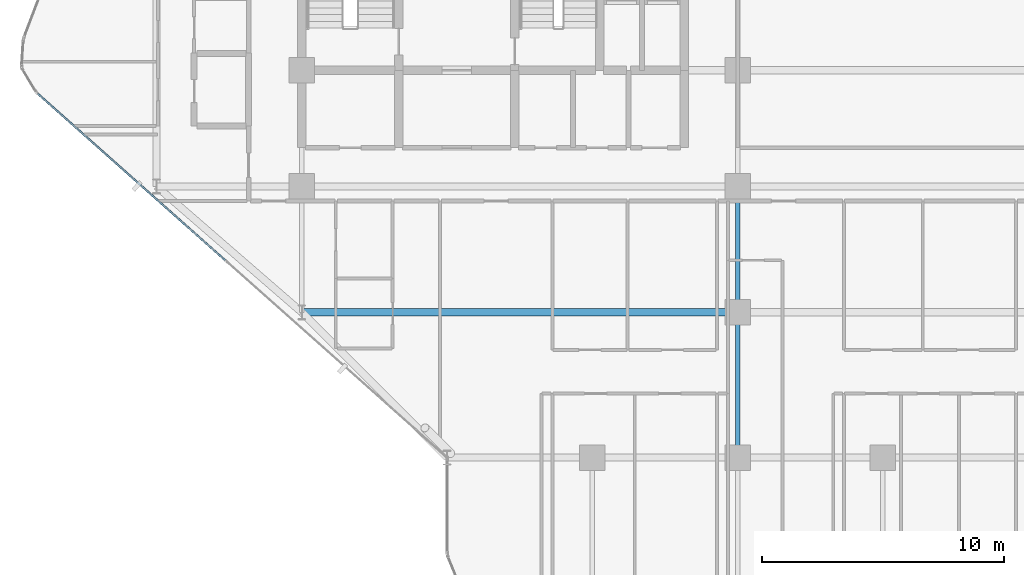
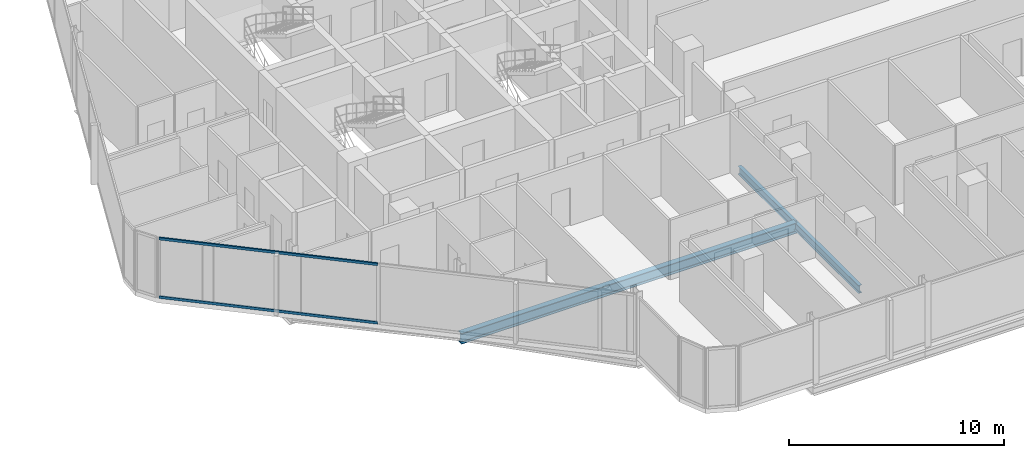
# One storey, part 5 of 29: 3 beams, 2 members, 1 element without a shape of its own.
"""IFC4 building model written with IfcOpenShell, lengths in metres."""

import ifcopenshell
import ifcopenshell.guid

model = None  # the IFC model being written
_history = None  # IfcOwnerHistory: only IFC2X3 demands one
_inside = {}  # id of a spatial element -> (the spatial element, [elements in it])
_under = {}  # id of a project, library or spatial element -> (it, [spatial elements below it])
_declared = {}  # id of a project -> (the project, [libraries it declares])
_typed = {}  # id of a type object -> (the type object, [elements of that type])
_made_of = {}  # id of a material, layer set ... -> (it, [elements and type objects made of it])


def new_model(schema):
    """Start an empty IFC model of exactly this schema.

    Asked for "IFC4X3", IfcOpenShell would pick the latest addendum, in which some entities
    have other attributes; the version numbers below select the first issue.
    IFC2X3 requires an IfcOwnerHistory on every rooted entity: one is made here for all.
    """
    global model, _history
    if schema == "IFC4X3":
        model = ifcopenshell.file(schema_version=(4, 3, 0, 0))
    else:
        model = ifcopenshell.file(schema=schema)
    _inside.clear()
    _under.clear()
    _declared.clear()
    _typed.clear()
    _made_of.clear()
    _history = None
    if model.schema == "IFC2X3":
        org = make("IfcOrganization", Name="unknown")
        user = make(
            "IfcPersonAndOrganization",
            ThePerson=make("IfcPerson", FamilyName="unknown"),
            TheOrganization=org,
        )
        app = make(
            "IfcApplication",
            ApplicationDeveloper=org,
            Version="unknown",
            ApplicationFullName="unknown",
            ApplicationIdentifier="unknown",
        )
        _history = make(
            "IfcOwnerHistory",
            OwningUser=user,
            OwningApplication=app,
            ChangeAction="ADDED",
            CreationDate=0,
        )
    return model


def make(cls, **values):
    """One entity of the class cls with the attributes given. An attribute that is None is left unset."""
    return model.create_entity(
        cls, **{name: value for name, value in values.items() if value is not None}
    )


def rooted(cls, **values):
    """An entity with a GlobalId (a new one), such as an element, a storey or a relation."""
    return make(cls, GlobalId=ifcopenshell.guid.new(), OwnerHistory=_history, **values)


def si_unit(unit_type, name, prefix=None):
    """IfcSIUnit, for example si_unit("LENGTHUNIT", "METRE", prefix="MILLI")."""
    return make("IfcSIUnit", UnitType=unit_type, Prefix=prefix, Name=name)


def assignment(units):
    """IfcUnitAssignment: the units of a project."""
    return None if units is None else make("IfcUnitAssignment", Units=units)


def point(xyz):
    """IfcCartesianPoint."""
    return None if xyz is None else make("IfcCartesianPoint", Coordinates=xyz)


def direction(xyz):
    """IfcDirection."""
    return None if xyz is None else make("IfcDirection", DirectionRatios=xyz)


def frame(location, z_axis=None, x_axis=None):
    """IfcAxis2Placement3D, a coordinate frame: its origin and axes. An axis left out is left unset."""
    return make(
        "IfcAxis2Placement3D",
        Location=point(location),
        Axis=direction(z_axis),
        RefDirection=direction(x_axis),
    )


def frame_2d(location, x_axis=None):
    """IfcAxis2Placement2D, a coordinate frame in the plane: its origin and x axis."""
    return make(
        "IfcAxis2Placement2D", Location=point(location), RefDirection=direction(x_axis)
    )


def origin():
    """The frame at (0, 0, 0) with its axes left unset."""
    return frame((0.0, 0.0, 0.0))


def origin_2d():
    """The frame at (0, 0) in the plane with its x axis left unset."""
    return frame_2d((0.0, 0.0))


def place(relative_to, where):
    """IfcLocalPlacement: puts the frame where relative to a parent placement (None: the world)."""
    return make(
        "IfcLocalPlacement", PlacementRelTo=relative_to, RelativePlacement=where
    )


def context(
    kind, dimensions, precision=None, world=None, true_north=None, identifier=None
):
    """IfcGeometricRepresentationContext, for example the 3D "Model" context."""
    return make(
        "IfcGeometricRepresentationContext",
        ContextIdentifier=identifier,
        ContextType=kind,
        CoordinateSpaceDimension=dimensions,
        Precision=precision,
        WorldCoordinateSystem=world,
        TrueNorth=true_north,
    )


def subcontext(parent, identifier, kind, view, scale=None):
    """IfcGeometricRepresentationSubContext, for example "Body" below "Model"."""
    return make(
        "IfcGeometricRepresentationSubContext",
        ContextIdentifier=identifier,
        ContextType=kind,
        ParentContext=parent,
        TargetScale=scale,
        TargetView=view,
    )


def project(units=None, contexts=None):
    """IfcProject with its units and contexts."""
    return rooted(
        "IfcProject",
        Name="project",
        RepresentationContexts=contexts,
        UnitsInContext=assignment(units),
    )


def spatial(cls, under=None, at=None, **own):
    """A site, building, storey or space (cls), placed at a placement, below another one or the project."""
    s = rooted(cls, ObjectPlacement=at, **own)
    if under is not None:
        _under.setdefault(under.id(), (under, []))[1].append(s)
    return s


def profile(cls, at=None, kind="AREA", **sizes):
    """A parametric profile (cls). Its sizes go by their IFC names, for example OverallWidth=200.0."""
    return make(cls, ProfileType=kind, Position=at, **sizes)


def hollow_rectangle(**sizes):
    """IfcRectangleHollowProfileDef."""
    return profile("IfcRectangleHollowProfileDef", **sizes)


def i_section(**sizes):
    """IfcIShapeProfileDef."""
    return profile("IfcIShapeProfileDef", **sizes)


def extrude(swept, where, along, depth):
    """IfcExtrudedAreaSolid: the profile swept, set in the frame where, extruded along a direction by depth."""
    return make(
        "IfcExtrudedAreaSolid",
        SweptArea=swept,
        Position=where,
        ExtrudedDirection=direction(along),
        Depth=depth,
    )


def shape(context_of_items, identifier, shape_type, items):
    """IfcShapeRepresentation: the items that make up one representation, for example the "Body"."""
    return make(
        "IfcShapeRepresentation",
        ContextOfItems=context_of_items,
        RepresentationIdentifier=identifier,
        RepresentationType=shape_type,
        Items=items,
    )


def material(Name=None, Category=None):
    """IfcMaterial."""
    return make("IfcMaterial", Name=Name, Category=Category)


def layer(
    of_material, thickness, ventilated=None, Name=None, Category=None, Priority=None
):
    """IfcMaterialLayer: one layer of a wall or slab, of a material (None: an air gap)."""
    return make(
        "IfcMaterialLayer",
        Material=of_material,
        LayerThickness=thickness,
        IsVentilated=ventilated,
        Name=Name,
        Category=Category,
        Priority=Priority,
    )


def layer_set(layers, Name=None):
    """IfcMaterialLayerSet."""
    return make("IfcMaterialLayerSet", MaterialLayers=layers, LayerSetName=Name)


def material_profile(
    of_material, cross_section, Name=None, Category=None, Priority=None
):
    """IfcMaterialProfile: a cross section and its material."""
    return make(
        "IfcMaterialProfile",
        Name=Name,
        Material=of_material,
        Profile=cross_section,
        Priority=Priority,
        Category=Category,
    )


def profile_set(profiles, Name=None, composite=None):
    """IfcMaterialProfileSet."""
    return make(
        "IfcMaterialProfileSet",
        Name=Name,
        MaterialProfiles=profiles,
        CompositeProfile=composite,
    )


def made_of(thing, what):
    """Note that an element or type object is made of a material, layer set ...; save() writes the relation."""
    if what is not None:
        _made_of.setdefault(what.id(), (what, []))[1].append(thing)
    return thing


def type_object(cls, material=None, **own):
    """A type object (cls), such as IfcWallType, which elements share."""
    return made_of(rooted(cls, **own), material)


def element(
    cls,
    number,
    at=None,
    inside=None,
    cuts=None,
    type_object=None,
    material=None,
    context=None,
    identifier="Body",
    shape_type=None,
    held_by="IfcProductDefinitionShape",
    body=None,
    shapes=None,
    **own,
):
    """One element of the class cls, such as IfcWall. Its Tag is "e" and its number.

    at: its placement. inside: the storey or other place that contains it. cuts: it is an
    opening in that element (IfcRelVoidsElement). A single representation is given by context,
    identifier, shape_type and body (its items); several are given by shapes. held_by: the class
    of the entity that holds the representations. save() writes the other relations.
    """
    e = rooted(cls, Tag="e%d" % number, ObjectPlacement=at, **own)
    if body is not None:
        shapes = [shape(context, identifier, shape_type, body)]
    if shapes is not None:
        e.Representation = make(held_by, Representations=shapes)
    if inside is not None:
        _inside.setdefault(inside.id(), (inside, []))[1].append(e)
    if cuts is not None:
        rooted(
            "IfcRelVoidsElement", RelatingBuildingElement=cuts, RelatedOpeningElement=e
        )
    if type_object is not None:
        _typed.setdefault(type_object.id(), (type_object, []))[1].append(e)
    return made_of(e, material)


def aggregate(whole, parts):
    """IfcRelAggregates: a whole, such as a stair, and the parts it consists of."""
    return rooted("IfcRelAggregates", RelatingObject=whole, RelatedObjects=parts)


def save(model, path):
    """Write the relations noted so far, then the file.

    IfcRelAggregates (storeys below a building ...), IfcRelContainedInSpatialStructure (elements
    in a storey), IfcRelDefinesByType, IfcRelAssociatesMaterial and IfcRelDeclares: one each for
    every whole, place, type object, material and project.
    """
    for whole, parts in _under.values():
        aggregate(whole, parts)
    for where, things in _inside.values():
        rooted(
            "IfcRelContainedInSpatialStructure",
            RelatedElements=things,
            RelatingStructure=where,
        )
    for kind, things in _typed.values():
        rooted("IfcRelDefinesByType", RelatedObjects=things, RelatingType=kind)
    for what, things in _made_of.values():
        rooted("IfcRelAssociatesMaterial", RelatedObjects=things, RelatingMaterial=what)
    for by, libraries in _declared.values():
        rooted("IfcRelDeclares", RelatingContext=by, RelatedDefinitions=libraries)
    model.write(path)


model = new_model("IFC4")

# Units and contexts
model_context = context("Model", 3, precision=1e-05, world=origin(), true_north=direction((0.0, 1.0)))
body_context = subcontext(model_context, "Body", "Model", "MODEL_VIEW")
ifc_project = project(units=[si_unit("LENGTHUNIT", "METRE"), si_unit("AREAUNIT", "SQUARE_METRE"), si_unit("VOLUMEUNIT", "CUBIC_METRE"), si_unit("PLANEANGLEUNIT", "RADIAN"), si_unit("MASSUNIT", "GRAM", prefix="KILO")], contexts=[model_context])

# Site, building, storey
site_placement = place(None, origin())
site = spatial("IfcSite", under=ifc_project, at=site_placement, CompositionType="ELEMENT")
building_placement = place(site_placement, origin())
building = spatial("IfcBuilding", under=site, at=building_placement, Name="Keshet Zoharim Tower", CompositionType="ELEMENT")
storey_placement = place(building_placement, frame((0.0, 0.0, 94.60009765625)))
storey = spatial("IfcBuildingStorey", under=building, at=storey_placement, Name="L22", CompositionType="ELEMENT", Elevation=94.60009765625)

# Beams
ifc_material_1 = material(Name="Steel S355", Category="steel")
ifc_material_profile_1 = material_profile(ifc_material_1, i_section(OverallWidth=0.300048828125, OverallDepth=0.60009765625, WebThickness=0.015380859375, FlangeThickness=0.030029296875, FilletRadius=0.027099609375, at=origin_2d()), Name="HEB600")
ifc_profile_set_1 = profile_set([ifc_material_profile_1], Name="Steel S355")
beam_type_1 = type_object("IfcBeamType", Name="BM-LNG-HB600", PredefinedType="BEAM", material=ifc_profile_set_1)
beam_1_placement = place(storey_placement, frame((15.0, 12.699951171875, -0.614990234375), z_axis=(1.0, 0.0, 0.0), x_axis=(0.0, 1.0, 0.0)))
element("IfcBeam", 1, at=beam_1_placement, inside=storey, type_object=beam_type_1, Name="L22 Primary Girder X-009", PredefinedType="BEAM", context=body_context, shape_type="SweptSolid", body=[
    extrude(i_section(OverallWidth=0.300048828125, OverallDepth=0.60009765625, WebThickness=0.015380859375, FlangeThickness=0.030029296875, FilletRadius=0.027099609375, at=origin_2d()), origin(), (0.0, 0.0, 1.0), 18.0),
])
ifc_material_profile_2 = material_profile(ifc_material_1, i_section(OverallWidth=0.18994140625, OverallDepth=0.449951171875, WebThickness=0.009521484375, FlangeThickness=0.0146484375, FilletRadius=0.02099609375, at=origin_2d()), Name="IPE450")
ifc_profile_set_2 = profile_set([ifc_material_profile_2], Name="Steel S355")
beam_type_2 = type_object("IfcBeamType", Name="BM-PRI-IP450", PredefinedType="BEAM", material=ifc_profile_set_2)
beam_2_placement = place(storey_placement, frame((33.0, 6.699951171875, -0.5400390625), z_axis=(0.0, 1.0, 0.0), x_axis=(-1.0, 0.0, 0.0)))
element("IfcBeam", 2, at=beam_2_placement, inside=storey, type_object=beam_type_2, Name="L22 Primary Girder Y-006", PredefinedType="BEAM", context=body_context, shape_type="SweptSolid", body=[
    extrude(i_section(OverallWidth=0.18994140625, OverallDepth=0.449951171875, WebThickness=0.009521484375, FlangeThickness=0.0146484375, FilletRadius=0.02099609375, at=origin_2d()), origin(), (0.0, 0.0, 1.0), 6.0),
])
beam_3_placement = place(storey_placement, frame((33.0, 12.699951171875, -0.5400390625), z_axis=(0.0, 1.0, 0.0), x_axis=(-1.0, 0.0, 0.0)))
element("IfcBeam", 3, at=beam_3_placement, inside=storey, type_object=beam_type_2, Name="L22 Primary Girder Y-007", PredefinedType="BEAM", context=body_context, shape_type="SweptSolid", body=[
    extrude(i_section(OverallWidth=0.18994140625, OverallDepth=0.449951171875, WebThickness=0.009521484375, FlangeThickness=0.0146484375, FilletRadius=0.02099609375, at=origin_2d()), origin(), (0.0, 0.0, 1.0), 5.199951171875),
])

# Curtain wall, members
ifc_material_2 = material(Name="Aluminium 6063-T6", Category="aluminium")
ifc_layer = layer(ifc_material_2, 0.159912109375)
ifc_layer_set = layer_set([ifc_layer], Name="Aluminium 6063-T6")
curtain_wall_type = type_object("IfcCurtainWallType", Name="CW-SYS-03", PredefinedType="NOTDEFINED", material=ifc_layer_set)
curtain_wall_placement = place(storey_placement, origin())
curtain_wall = element("IfcCurtainWall", 4, at=curtain_wall_placement, inside=storey, type_object=curtain_wall_type, Name="L22 Unitised Curtain Wall 07 Part 2", PredefinedType="NOTDEFINED")
ifc_material_profile_3 = material_profile(ifc_material_2, hollow_rectangle(XDim=0.080078125, YDim=0.139892578125, WallThickness=0.00390625, at=origin_2d()), Name="TRN-80x140")
ifc_profile_set_3 = profile_set([ifc_material_profile_3], Name="Aluminium 6063-T6")
member_type = type_object("IfcMemberType", Name="CWT-T14", PredefinedType="USERDEFINED", material=ifc_profile_set_3)
member_1_placement = place(storey_placement, frame((11.83349609375, 14.847900390625, 0.034912109375), z_axis=(-0.747405419639, 0.664368225229, 0.0), x_axis=(-0.664368225229, -0.747405419639, 0.0)))
member_1 = element("IfcMember", 5, at=member_1_placement, type_object=member_type, Name="CW-03 transom 2.1", ObjectType="TRANSOM", PredefinedType="USERDEFINED", context=body_context, shape_type="SweptSolid", body=[
    extrude(hollow_rectangle(XDim=0.080078125, YDim=0.139892578125, WallThickness=0.00390625, at=origin_2d()), origin(), (0.0, 0.0, 1.0), 10.364013671875),
])
member_2_placement = place(storey_placement, frame((11.83349609375, 14.847900390625, 3.349853515625), z_axis=(-0.747405419639, 0.664368225229, 0.0), x_axis=(-0.664368225229, -0.747405419639, 0.0)))
member_2 = element("IfcMember", 6, at=member_2_placement, type_object=member_type, Name="CW-03 transom 2.2", ObjectType="TRANSOM", PredefinedType="USERDEFINED", context=body_context, shape_type="SweptSolid", body=[
    extrude(hollow_rectangle(XDim=0.080078125, YDim=0.139892578125, WallThickness=0.00390625, at=origin_2d()), origin(), (0.0, 0.0, 1.0), 10.364013671875),
])
aggregate(curtain_wall, [member_1, member_2])

save(model, "model.ifc")
